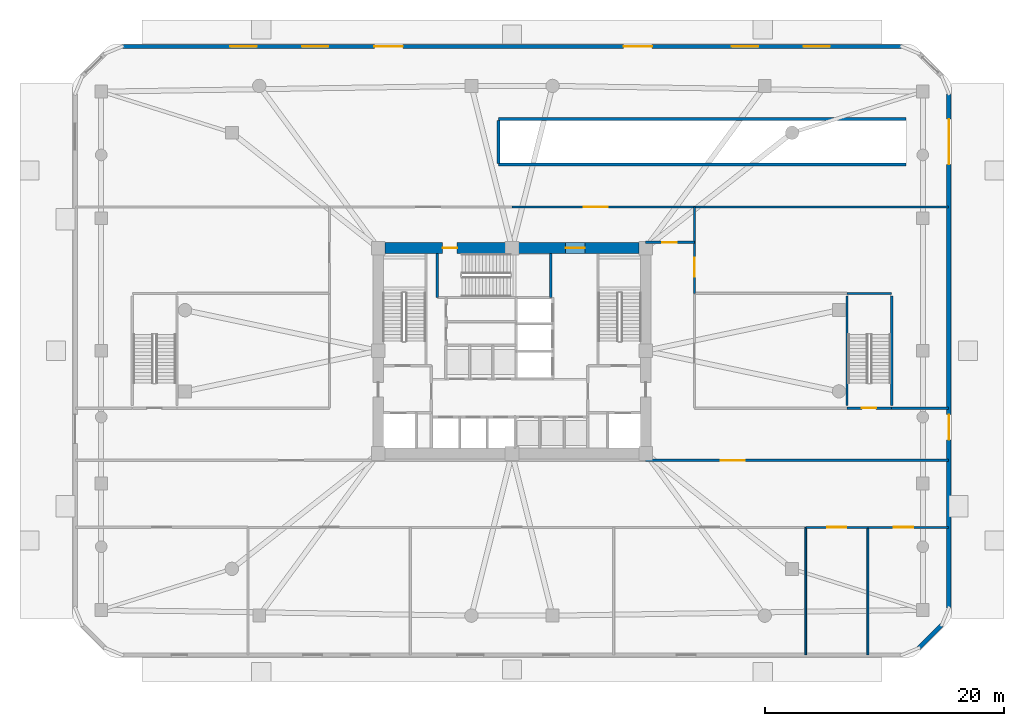
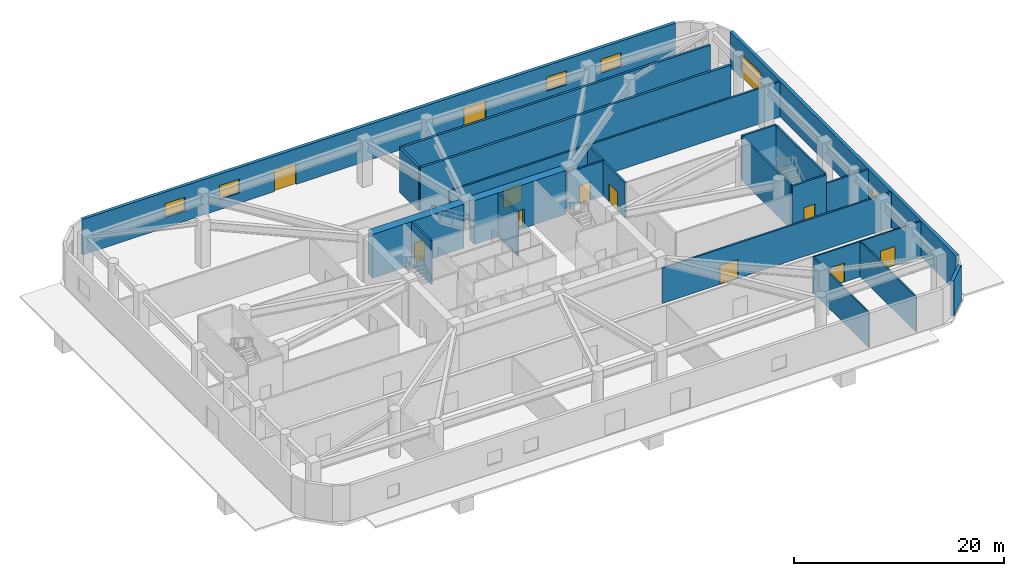
# One storey, part 5 of 9: 23 walls, 13 doors, 4 windows, 17 openings.
"""IFC4 building model written with IfcOpenShell, lengths in metres."""

from ifc_helpers import new_model, si_unit, derived_unit, direction, frame, frame_2d, origin, place, context, subcontext, project, spatial, rectangle, extrude, material, layer, layer_set, type_object, element, fill, save


model = new_model("IFC4")

# Units and contexts
model_context = context("Model", 3, precision=1e-05, world=origin(), true_north=direction((0.0, 1.0)))
body_context = subcontext(model_context, "Body", "Model", "MODEL_VIEW")
ifc_project = project(units=[si_unit("LENGTHUNIT", "METRE"), si_unit("AREAUNIT", "SQUARE_METRE"), si_unit("VOLUMEUNIT", "CUBIC_METRE"), si_unit("PLANEANGLEUNIT", "RADIAN"), si_unit("MASSUNIT", "GRAM", prefix="KILO"), derived_unit("THERMALTRANSMITTANCEUNIT", [(si_unit("POWERUNIT", "WATT"), 1), (si_unit("LENGTHUNIT", "METRE"), -2), (si_unit("THERMODYNAMICTEMPERATUREUNIT", "KELVIN"), -1)])], contexts=[model_context])

# Site, building, storey
site_placement = place(None, origin())
site = spatial("IfcSite", under=ifc_project, at=site_placement, CompositionType="ELEMENT")
building_placement = place(site_placement, origin())
building = spatial("IfcBuilding", under=site, at=building_placement, Name="Koralith Skygarden Medical Center", CompositionType="ELEMENT")
storey_placement = place(building_placement, origin())
storey = spatial("IfcBuildingStorey", under=building, at=storey_placement, Name="L00", CompositionType="ELEMENT", Elevation=0.0)

# Walls
ifc_material_1 = material(Name="Gypsum Board Partition")
ifc_layer_1 = layer(ifc_material_1, 0.14990234375)
ifc_layer_set_1 = layer_set([ifc_layer_1], Name="Gypsum Board Partition")
wall_type_1 = type_object("IfcWallType", Name="Clinical Acoustic Partition 150", PredefinedType="PARTITIONING", material=ifc_layer_set_1)
for number, where, z_axis, x_axis, name in (
    (1, (61.60009765625, 0.43994140625, 0.0), (0.0, 0.0, 1.0), (0.0, 1.0, 0.0), "L00 Clinical Acoustic Partition 150 W-L00-SP-4"),
    (2, (66.800048828125, 0.43994140625, 0.0), (0.0, 0.0, 1.0), (0.0, 1.0, 0.0), "L00 Clinical Acoustic Partition 150 W-L00-SP-5"),
):
    element("IfcWall", number, at=place(storey_placement, frame(where, z_axis=z_axis, x_axis=x_axis)), inside=storey, type_object=wall_type_1, Name=name, PredefinedType="PARTITIONING", context=body_context, shape_type="SweptSolid", body=[
        extrude(rectangle(XDim=10.68017578125, YDim=0.14990234375, at=frame_2d((5.340087890625, 0.0))), origin(), (0.0, 0.0, 1.0), 4.110107421875),
    ])

# Wall, opening, door
ifc_layer_2 = layer(ifc_material_1, 0.1650390625)
ifc_layer_set_2 = layer_set([ifc_layer_2], Name="Gypsum Board Partition")
wall_type_2 = type_object("IfcWallType", Name="Clinical Corridor Partition 165", PredefinedType="PARTITIONING", material=ifc_layer_set_2)
wall_1_placement = place(storey_placement, frame((61.60009765625, 11.1201171875, 0.0), z_axis=(0.0, 0.0, 1.0), x_axis=(1.0, 0.0, 0.0)))
wall_1 = element("IfcWall", 3, at=wall_1_placement, inside=storey, type_object=wall_type_2, Name="L00 Clinical Corridor Partition 165 W-L00-SR-DEC", PredefinedType="PARTITIONING", context=body_context, shape_type="SweptSolid", body=[
    extrude(rectangle(XDim=5.199951171875, YDim=0.1650390625, at=frame_2d((2.60009765625, 0.0))), origin(), (0.0, 0.0, 1.0), 4.110107421875),
])
opening_1_placement = place(wall_1_placement, frame((1.800048828125, 0.0, 0.0)))
opening_1 = element("IfcOpeningElement", 4, at=opening_1_placement, cuts=wall_1, Name="Opening D-DBL", PredefinedType="OPENING", context=body_context, shape_type="SweptSolid", body=[
    extrude(rectangle(XDim=1.60009765625, YDim=2.199951171875, at=frame_2d((0.800048828125, 1.10009765625))), frame((0.0, 0.092529296875, 0.0), z_axis=(0.0, -1.0, 0.0), x_axis=(1.0, 0.0, 0.0)), (0.0, 0.0, 1.0), 0.18505859375),
])
ifc_material_2 = material(Name="Aluminium 6063-T6", Category="aluminium")
door_type_1 = type_object("IfcDoorType", Name="Double Clinical Suite Door D-DBL 1600", OperationType="NOTDEFINED", PredefinedType="DOOR", material=ifc_material_2)
door_1_placement = place(opening_1_placement, frame((1.60009765625, 0.0, 0.0), z_axis=(0.0, 0.0, 1.0), x_axis=(-1.0, 0.0, 0.0)))
door_1 = element("IfcDoor", 5, at=door_1_placement, inside=storey, type_object=door_type_1, Name="L00 Emergency Wet Decontamination and Triage Room Door", OperationType="DOUBLE_DOOR_SINGLE_SWING", OverallHeight=2.199951171875, OverallWidth=1.60009765625, PredefinedType="DOOR", context=body_context, shape_type="SweptSolid", body=[
    extrude(rectangle(XDim=1.60009765625, YDim=2.199951171875, at=frame_2d((0.800048828125, 1.10009765625))), frame((0.0, 0.02490234375, 0.0), z_axis=(0.0, -1.0, 0.0), x_axis=(1.0, 0.0, 0.0)), (0.0, 0.0, 1.0), 0.050048828125),
])
fill(opening_1, door_1)

wall_2_placement = place(storey_placement, frame((66.800048828125, 11.1201171875, 0.0), z_axis=(0.0, 0.0, 1.0), x_axis=(1.0, 0.0, 0.0)))
wall_2 = element("IfcWall", 6, at=wall_2_placement, inside=storey, type_object=wall_type_2, Name="L00 Clinical Corridor Partition 165 W-L00-SR-WC", PredefinedType="PARTITIONING", context=body_context, shape_type="SweptSolid", body=[
    extrude(rectangle(XDim=6.760009765625, YDim=0.1650390625, at=frame_2d((3.3798828125, 0.0))), origin(), (0.0, 0.0, 1.0), 4.110107421875),
])
opening_2_placement = place(wall_2_placement, frame((2.18505859375, 0.0, 0.0)))
opening_2 = element("IfcOpeningElement", 7, at=opening_2_placement, cuts=wall_2, Name="Opening D-DBL", PredefinedType="OPENING", context=body_context, shape_type="SweptSolid", body=[
    extrude(rectangle(XDim=1.60009765625, YDim=2.199951171875, at=frame_2d((0.800048828125, 1.10009765625))), frame((0.0, 0.092529296875, 0.0), z_axis=(0.0, -1.0, 0.0), x_axis=(1.0, 0.0, 0.0)), (0.0, 0.0, 1.0), 0.18505859375),
])
door_2_placement = place(opening_2_placement, frame((1.60009765625, 0.0, 0.0), z_axis=(0.0, 0.0, 1.0), x_axis=(-1.0, 0.0, 0.0)))
door_2 = element("IfcDoor", 8, at=door_2_placement, inside=storey, type_object=door_type_1, Name="L00 Ground Public Accessible Restroom WC Door", OperationType="DOUBLE_DOOR_SINGLE_SWING", OverallHeight=2.199951171875, OverallWidth=1.60009765625, PredefinedType="DOOR", context=body_context, shape_type="SweptSolid", body=[
    extrude(rectangle(XDim=1.60009765625, YDim=2.199951171875, at=frame_2d((0.800048828125, 1.10009765625))), frame((0.0, 0.02490234375, 0.0), z_axis=(0.0, -1.0, 0.0), x_axis=(1.0, 0.0, 0.0)), (0.0, 0.0, 1.0), 0.050048828125),
])
fill(opening_2, door_2)

ifc_layer_3 = layer(ifc_material_1, 0.199951171875)
ifc_layer_set_3 = layer_set([ifc_layer_3], Name="Gypsum Board Partition")
wall_type_3 = type_object("IfcWallType", Name="Fire Shaft Wall 200", PredefinedType="SOLIDWALL", material=ifc_layer_set_3)
wall_3_placement = place(storey_placement, frame((48.199951171875, 16.719970703125, 0.0), z_axis=(0.0, 0.0, 1.0), x_axis=(1.0, 0.0, 0.0)))
wall_3 = element("IfcWall", 9, at=wall_3_placement, inside=storey, type_object=wall_type_3, Name="L00 Fire Shaft Wall 200 W-L00-EXPASS-SE", PredefinedType="SOLIDWALL", context=body_context, shape_type="SweptSolid", body=[
    extrude(rectangle(XDim=25.360107421875, YDim=0.199951171875, at=frame_2d((12.68017578125, 0.0))), origin(), (0.0, 0.0, 1.0), 4.110107421875),
])
opening_3_placement = place(wall_3_placement, frame((6.300048828125, 0.0, 0.0)))
opening_3 = element("IfcOpeningElement", 10, at=opening_3_placement, cuts=wall_3, Name="Opening D-SMK", PredefinedType="OPENING", context=body_context, shape_type="SweptSolid", body=[
    extrude(rectangle(XDim=2.0, YDim=2.199951171875, at=frame_2d((1.0, 1.10009765625))), frame((0.0, 0.10986328125, 0.0), z_axis=(0.0, -1.0, 0.0), x_axis=(1.0, 0.0, 0.0)), (0.0, 0.0, 1.0), 0.219970703125),
])
ifc_material_3 = material(Name="Steel ASTM A500 Grade C", Category="steel")
door_type_2 = type_object("IfcDoorType", Name="Cross-Corridor Double Smoke Door FD60S 2000", OperationType="NOTDEFINED", PredefinedType="DOOR", material=ifc_material_3)
door_3_placement = place(opening_3_placement, origin())
door_3 = element("IfcDoor", 11, at=door_3_placement, inside=storey, type_object=door_type_2, Name="L00 East Protected Passage Smoke Door", OperationType="DOUBLE_DOOR_SINGLE_SWING", OverallHeight=2.199951171875, OverallWidth=2.0, PredefinedType="DOOR", context=body_context, shape_type="SweptSolid", body=[
    extrude(rectangle(XDim=2.0, YDim=2.199951171875, at=frame_2d((1.0, 1.10009765625))), frame((0.0, 0.02490234375, 0.0), z_axis=(0.0, -1.0, 0.0), x_axis=(1.0, 0.0, 0.0)), (0.0, 0.0, 1.0), 0.050048828125),
])
fill(opening_3, door_3)

# Wall
wall_4_placement = place(storey_placement, frame((68.800048828125, 21.10009765625, 0.0), z_axis=(0.0, 0.0, 1.0), x_axis=(1.0, 0.0, 0.0)))
element("IfcWall", 12, at=wall_4_placement, inside=storey, type_object=wall_type_3, Name="L00 Fire Shaft Wall 200 W-L00-EST5-S", PredefinedType="SOLIDWALL", context=body_context, shape_type="SweptSolid", body=[
    extrude(rectangle(XDim=4.760009765625, YDim=0.199951171875, at=frame_2d((2.3798828125, 0.0))), origin(), (0.0, 0.0, 1.0), 4.110107421875),
])

# Wall, opening, door
wall_5_placement = place(storey_placement, frame((52.280029296875, 30.699951171875, 0.0), z_axis=(0.0, 0.0, 1.0), x_axis=(0.0, 1.0, 0.0)))
wall_5 = element("IfcWall", 13, at=wall_5_placement, inside=storey, type_object=wall_type_3, Name="L00 Fire Shaft Wall 200 W-L00-EXPASS-EE2", PredefinedType="SOLIDWALL", context=body_context, shape_type="SweptSolid", body=[
    extrude(rectangle(XDim=7.239990234375, YDim=0.199951171875, at=frame_2d((3.6201171875, 0.0))), origin(), (0.0, 0.0, 1.0), 4.110107421875),
])
opening_4_placement = place(wall_5_placement, frame((1.39990234375, 0.0, 0.0)))
opening_4 = element("IfcOpeningElement", 14, at=opening_4_placement, cuts=wall_5, Name="Opening D-DBL", PredefinedType="OPENING", context=body_context, shape_type="SweptSolid", body=[
    extrude(rectangle(XDim=1.60009765625, YDim=2.199951171875, at=frame_2d((0.800048828125, 1.10009765625))), frame((0.0, 0.10986328125, 0.0), z_axis=(0.0, -1.0, 0.0), x_axis=(1.0, 0.0, 0.0)), (0.0, 0.0, 1.0), 0.219970703125),
])
door_4_placement = place(opening_4_placement, origin())
door_4 = element("IfcDoor", 15, at=door_4_placement, inside=storey, type_object=door_type_1, Name="L00 Outpatient Discharge Pharmacy Door", OperationType="DOUBLE_DOOR_SINGLE_SWING", OverallHeight=2.199951171875, OverallWidth=1.60009765625, PredefinedType="DOOR", context=body_context, shape_type="SweptSolid", body=[
    extrude(rectangle(XDim=1.60009765625, YDim=2.199951171875, at=frame_2d((0.800048828125, 1.10009765625))), frame((0.0, 0.02490234375, 0.0), z_axis=(0.0, -1.0, 0.0), x_axis=(1.0, 0.0, 0.0)), (0.0, 0.0, 1.0), 0.050048828125),
])
fill(opening_4, door_4)

wall_6_placement = place(storey_placement, frame((48.199951171875, 34.97998046875, 0.0), z_axis=(0.0, 0.0, 1.0), x_axis=(1.0, 0.0, 0.0)))
wall_6 = element("IfcWall", 16, at=wall_6_placement, inside=storey, type_object=wall_type_3, Name="L00 Fire Shaft Wall 200 W-L00-EXPASS-EN", PredefinedType="SOLIDWALL", context=body_context, shape_type="SweptSolid", body=[
    extrude(rectangle(XDim=4.080078125, YDim=0.199951171875, at=frame_2d((2.0400390625, 0.0))), origin(), (0.0, 0.0, 1.0), 4.110107421875),
])
opening_5_placement = place(wall_6_placement, frame((1.39990234375, 0.0, 0.0)))
opening_5 = element("IfcOpeningElement", 17, at=opening_5_placement, cuts=wall_6, Name="Opening D-ST60", PredefinedType="OPENING", context=body_context, shape_type="SweptSolid", body=[
    extrude(rectangle(XDim=1.199951171875, YDim=2.14990234375, at=frame_2d((0.60009765625, 1.074951171875))), frame((0.0, 0.10986328125, 0.0), z_axis=(0.0, -1.0, 0.0), x_axis=(1.0, 0.0, 0.0)), (0.0, 0.0, 1.0), 0.219970703125),
])
door_type_3 = type_object("IfcDoorType", Name="Smokeproof Stair Fire Door FD60S 1200", OperationType="NOTDEFINED", PredefinedType="DOOR", material=ifc_material_3)
door_5_placement = place(opening_5_placement, origin())
door_5 = element("IfcDoor", 18, at=door_5_placement, inside=storey, type_object=door_type_3, Name="L00 North-East Protected Passage Door", OperationType="SINGLE_SWING_LEFT", OverallHeight=2.14990234375, OverallWidth=1.199951171875, PredefinedType="DOOR", context=body_context, shape_type="SweptSolid", body=[
    extrude(rectangle(XDim=1.199951171875, YDim=2.14990234375, at=frame_2d((0.60009765625, 1.074951171875))), frame((0.0, 0.02490234375, 0.0), z_axis=(0.0, -1.0, 0.0), x_axis=(1.0, 0.0, 0.0)), (0.0, 0.0, 1.0), 0.050048828125),
])
fill(opening_5, door_5)

wall_7_placement = place(storey_placement, frame((37.0, 37.93994140625, 0.0), z_axis=(0.0, 0.0, 1.0), x_axis=(1.0, 0.0, 0.0)))
wall_7 = element("IfcWall", 19, at=wall_7_placement, inside=storey, type_object=wall_type_3, Name="L00 Fire Shaft Wall 200 W-L00-CONC-E", PredefinedType="SOLIDWALL", context=body_context, shape_type="SweptSolid", body=[
    extrude(rectangle(XDim=36.56005859375, YDim=0.199951171875, at=frame_2d((18.280029296875, 0.0))), origin(), (0.0, 0.0, 1.0), 4.110107421875),
])
opening_6_placement = place(wall_7_placement, frame((6.0, 0.0, 0.0)))
opening_6 = element("IfcOpeningElement", 20, at=opening_6_placement, cuts=wall_7, Name="Opening D-SMK", PredefinedType="OPENING", context=body_context, shape_type="SweptSolid", body=[
    extrude(rectangle(XDim=2.0, YDim=2.199951171875, at=frame_2d((1.0, 1.10009765625))), frame((0.0, 0.10986328125, 0.0), z_axis=(0.0, -1.0, 0.0), x_axis=(1.0, 0.0, 0.0)), (0.0, 0.0, 1.0), 0.219970703125),
])
door_6_placement = place(opening_6_placement, origin())
door_6 = element("IfcDoor", 21, at=door_6_placement, inside=storey, type_object=door_type_2, Name="L00 Station Concourse Transfer Door East", OperationType="DOUBLE_DOOR_SINGLE_SWING", OverallHeight=2.199951171875, OverallWidth=2.0, PredefinedType="DOOR", context=body_context, shape_type="SweptSolid", body=[
    extrude(rectangle(XDim=2.0, YDim=2.199951171875, at=frame_2d((1.0, 1.10009765625))), frame((0.0, 0.02490234375, 0.0), z_axis=(0.0, -1.0, 0.0), x_axis=(1.0, 0.0, 0.0)), (0.0, 0.0, 1.0), 0.050048828125),
])
fill(opening_6, door_6)

ifc_material_4 = material(Name="Concrete C70/85", Category="concrete")
ifc_layer_4 = layer(ifc_material_4, 0.89990234375)
ifc_layer_set_4 = layer_set([ifc_layer_4], Name="Concrete C70/85")
wall_type_4 = type_object("IfcWallType", Name="Lower Core Shear Wall 900", PredefinedType="SHEAR", material=ifc_layer_set_4)
wall_8_placement = place(storey_placement, frame((47.635009765625, 34.5, 0.0), z_axis=(0.0, 0.0, 1.0), x_axis=(-1.0, 0.0, 0.0)))
wall_8 = element("IfcWall", 22, at=wall_8_placement, inside=storey, type_object=wall_type_4, Name="L00 Core Shear Wall Segment 5", PredefinedType="SHEAR", context=body_context, shape_type="SweptSolid", body=[
    extrude(rectangle(XDim=10.070068359375, YDim=0.89990234375, at=frame_2d((5.03515625, 0.0))), origin(), (0.0, 0.0, 1.0), 5.10009765625),
])
opening_7_placement = place(wall_8_placement, frame((4.534912109375, 0.0, 0.0)))
opening_7 = element("IfcOpeningElement", 23, at=opening_7_placement, cuts=wall_8, Name="Opening D-DBL", PredefinedType="OPENING", context=body_context, shape_type="SweptSolid", body=[
    extrude(rectangle(XDim=1.60009765625, YDim=2.199951171875, at=frame_2d((0.800048828125, 1.10009765625))), frame((0.0, 0.4599609375, 0.0), z_axis=(0.0, -1.0, 0.0), x_axis=(1.0, 0.0, 0.0)), (0.0, 0.0, 1.0), 0.919921875),
])
door_7_placement = place(opening_7_placement, frame((1.60009765625, 0.0, 0.0), z_axis=(0.0, 0.0, 1.0), x_axis=(-1.0, 0.0, 0.0)))
door_7 = element("IfcDoor", 24, at=door_7_placement, inside=storey, type_object=door_type_1, Name="L00 North-East Corridor to Elevator Lobby Door", OperationType="DOUBLE_DOOR_SINGLE_SWING", OverallHeight=2.199951171875, OverallWidth=1.60009765625, PredefinedType="DOOR", context=body_context, shape_type="SweptSolid", body=[
    extrude(rectangle(XDim=1.60009765625, YDim=2.199951171875, at=frame_2d((0.800048828125, 1.10009765625))), frame((0.0, 0.02490234375, 0.0), z_axis=(0.0, -1.0, 0.0), x_axis=(1.0, 0.0, 0.0)), (0.0, 0.0, 1.0), 0.050048828125),
])
fill(opening_7, door_7)

wall_9_placement = place(storey_placement, frame((36.43505859375, 34.5, 0.0), z_axis=(0.0, 0.0, 1.0), x_axis=(-1.0, 0.0, 0.0)))
wall_9 = element("IfcWall", 25, at=wall_9_placement, inside=storey, type_object=wall_type_4, Name="L00 Core Shear Wall Segment 6", PredefinedType="SHEAR", context=body_context, shape_type="SweptSolid", body=[
    extrude(rectangle(XDim=10.070068359375, YDim=0.89990234375, at=frame_2d((5.03515625, 0.0))), origin(), (0.0, 0.0, 1.0), 5.10009765625),
])
opening_8_placement = place(wall_9_placement, frame((4.034912109375, 0.0, 0.0)))
opening_8 = element("IfcOpeningElement", 26, at=opening_8_placement, cuts=wall_9, Name="Opening D-ST60", PredefinedType="OPENING", context=body_context, shape_type="SweptSolid", body=[
    extrude(rectangle(XDim=1.199951171875, YDim=2.14990234375, at=frame_2d((0.60009765625, 1.074951171875))), frame((0.0, 0.4599609375, 0.0), z_axis=(0.0, -1.0, 0.0), x_axis=(1.0, 0.0, 0.0)), (0.0, 0.0, 1.0), 0.919921875),
])
door_8_placement = place(opening_8_placement, frame((1.199951171875, 0.0, 0.0), z_axis=(0.0, 0.0, 1.0), x_axis=(-1.0, 0.0, 0.0)))
door_8 = element("IfcDoor", 27, at=door_8_placement, inside=storey, type_object=door_type_3, Name="L00 Exit Stair ST3 Fire Door", OperationType="SINGLE_SWING_LEFT", OverallHeight=2.14990234375, OverallWidth=1.199951171875, PredefinedType="DOOR", context=body_context, shape_type="SweptSolid", body=[
    extrude(rectangle(XDim=1.199951171875, YDim=2.14990234375, at=frame_2d((0.60009765625, 1.074951171875))), frame((0.0, 0.02490234375, 0.0), z_axis=(0.0, -1.0, 0.0), x_axis=(1.0, 0.0, 0.0)), (0.0, 0.0, 1.0), 0.050048828125),
])
fill(opening_8, door_8)

# Wall
ifc_material_5 = material(Name="Warm Oolitic Limestone Cladding", Category="masonry")
ifc_layer_5 = layer(ifc_material_5, 0.35009765625)
ifc_layer_set_5 = layer_set([ifc_layer_5], Name="Warm Oolitic Limestone Cladding")
wall_type_5 = type_object("IfcWallType", Name="Podium Station Limestone Facade Wall 350", PredefinedType="SOLIDWALL", material=ifc_layer_set_5)
wall_10_placement = place(storey_placement, frame((71.072021484375, 1.02099609375, 0.0), z_axis=(0.0, 0.0, 1.0), x_axis=(0.707106781187, 0.707106781187, 0.0)))
element("IfcWall", 28, at=wall_10_placement, inside=storey, type_object=wall_type_5, Name="L00 Podium Exterior Limestone Wall SE", PredefinedType="SOLIDWALL", context=body_context, shape_type="SweptSolid", body=[
    extrude(rectangle(XDim=2.69677734375, YDim=0.35009765625, at=frame_2d((1.348388671875, 0.0))), origin(), (0.0, 0.0, 1.0), 4.139892578125),
])

# Wall, openings, doors
wall_11_placement = place(storey_placement, frame((73.580078125, 4.37890625, 0.0), z_axis=(0.0, 0.0, 1.0), x_axis=(0.0, 1.0, 0.0)))
wall_11 = element("IfcWall", 29, at=wall_11_placement, inside=storey, type_object=wall_type_5, Name="L00 Podium Exterior Limestone Wall E", PredefinedType="SOLIDWALL", context=body_context, shape_type="SweptSolid", body=[
    extrude(rectangle(XDim=43.0419921875, YDim=0.35009765625, at=frame_2d((21.52099609375, 0.0))), origin(), (0.0, 0.0, 1.0), 4.139892578125),
])
opening_9_placement = place(wall_11_placement, frame((14.071044921875, 0.0, 0.0)))
opening_9 = element("IfcOpeningElement", 30, at=opening_9_placement, cuts=wall_11, Name="Opening EX-03", PredefinedType="OPENING", context=body_context, shape_type="SweptSolid", body=[
    extrude(rectangle(XDim=2.10009765625, YDim=2.39990234375, at=frame_2d((1.050048828125, 1.199951171875))), frame((0.0, 0.18505859375, 0.0), z_axis=(0.0, -1.0, 0.0), x_axis=(1.0, 0.0, 0.0)), (0.0, 0.0, 1.0), 0.3701171875),
])
opening_10_placement = place(wall_11_placement, frame((37.12109375, 0.0, 0.0)))
opening_10 = element("IfcOpeningElement", 31, at=opening_10_placement, cuts=wall_11, Name="Opening VG-01", PredefinedType="OPENING", context=body_context, shape_type="SweptSolid", body=[
    extrude(rectangle(XDim=3.800048828125, YDim=2.85009765625, at=frame_2d((1.89990234375, 1.425048828125))), frame((0.0, 0.18505859375, 0.0), z_axis=(0.0, -1.0, 0.0), x_axis=(1.0, 0.0, 0.0)), (0.0, 0.0, 1.0), 0.3701171875),
])
door_type_4 = type_object("IfcDoorType", Name="Ambulance Trauma Entrance Door EX-03 2100", OperationType="NOTDEFINED", PredefinedType="DOOR", material=ifc_material_2)
door_9_placement = place(opening_9_placement, frame((2.10009765625, 0.0, 0.0), z_axis=(0.0, 0.0, 1.0), x_axis=(-1.0, 0.0, 0.0)))
door_9 = element("IfcDoor", 32, at=door_9_placement, inside=storey, type_object=door_type_4, Name="L00 East Protected Passage Final Exit Door EX-03", OperationType="DOUBLE_DOOR_SINGLE_SWING", OverallHeight=2.39990234375, OverallWidth=2.10009765625, PredefinedType="DOOR", context=body_context, shape_type="SweptSolid", body=[
    extrude(rectangle(XDim=2.10009765625, YDim=2.39990234375, at=frame_2d((1.050048828125, 1.199951171875))), frame((0.0, 0.02490234375, 0.0), z_axis=(0.0, -1.0, 0.0), x_axis=(1.0, 0.0, 0.0)), (0.0, 0.0, 1.0), 0.050048828125),
])
fill(opening_9, door_9)
door_type_5 = type_object("IfcDoorType", Name="Car Park Exit Roller Shutter Gate VG-01 3800", OperationType="NOTDEFINED", PredefinedType="GATE", material=ifc_material_3)
door_10_placement = place(opening_10_placement, origin())
door_10 = element("IfcDoor", 33, at=door_10_placement, inside=storey, type_object=door_type_5, Name="L00 Car Park Ramp R2 Exterior Roller Gate", OperationType="ROLLINGUP", OverallHeight=2.85009765625, OverallWidth=3.800048828125, PredefinedType="GATE", context=body_context, shape_type="SweptSolid", body=[
    extrude(rectangle(XDim=3.800048828125, YDim=2.85009765625, at=frame_2d((1.89990234375, 1.425048828125))), frame((0.0, 0.02490234375, 0.0), z_axis=(0.0, -1.0, 0.0), x_axis=(1.0, 0.0, 0.0)), (0.0, 0.0, 1.0), 0.050048828125),
])
fill(opening_10, door_10)

# Wall, openings, windows, doors
wall_12_placement = place(storey_placement, frame((69.62109375, 51.3798828125, 0.0), z_axis=(0.0, 0.0, 1.0), x_axis=(-1.0, 0.0, 0.0)))
wall_12 = element("IfcWall", 34, at=wall_12_placement, inside=storey, type_object=wall_type_5, Name="L00 Podium Exterior Limestone Wall N", PredefinedType="SOLIDWALL", context=body_context, shape_type="SweptSolid", body=[
    extrude(rectangle(XDim=65.2421875, YDim=0.35009765625, at=frame_2d((32.62109375, 0.0))), origin(), (0.0, 0.0, 1.0), 4.139892578125),
])
opening_11_placement = place(wall_12_placement, frame((20.876953125, 0.0, 0.0)))
opening_11 = element("IfcOpeningElement", 35, at=opening_11_placement, cuts=wall_12, Name="Opening EX-01", PredefinedType="OPENING", context=body_context, shape_type="SweptSolid", body=[
    extrude(rectangle(XDim=2.39990234375, YDim=2.5, at=frame_2d((1.199951171875, 1.25))), frame((0.0, 0.18505859375, 0.0), z_axis=(0.0, -1.0, 0.0), x_axis=(1.0, 0.0, 0.0)), (0.0, 0.0, 1.0), 0.3701171875),
])
opening_12_placement = place(wall_12_placement, frame((41.7548828125, 0.0, 0.0)))
opening_12 = element("IfcOpeningElement", 36, at=opening_12_placement, cuts=wall_12, Name="Opening EX-01", PredefinedType="OPENING", context=body_context, shape_type="SweptSolid", body=[
    extrude(rectangle(XDim=2.39990234375, YDim=2.5, at=frame_2d((1.199951171875, 1.25))), frame((0.0, 0.18505859375, 0.0), z_axis=(0.0, -1.0, 0.0), x_axis=(1.0, 0.0, 0.0)), (0.0, 0.0, 1.0), 0.3701171875),
])
opening_13_placement = place(wall_12_placement, frame((6.0, 0.0, 1.199951171875)))
opening_13 = element("IfcOpeningElement", 37, at=opening_13_placement, cuts=wall_12, Name="Opening W-01", PredefinedType="OPENING", context=body_context, shape_type="SweptSolid", body=[
    extrude(rectangle(XDim=2.199951171875, YDim=1.60009765625, at=frame_2d((1.10009765625, 0.800048828125))), frame((0.0, 0.18505859375, 0.0), z_axis=(0.0, -1.0, 0.0), x_axis=(1.0, 0.0, 0.0)), (0.0, 0.0, 1.0), 0.3701171875),
])
opening_14_placement = place(wall_12_placement, frame((12.0, 0.0, 1.199951171875)))
opening_14 = element("IfcOpeningElement", 38, at=opening_14_placement, cuts=wall_12, Name="Opening W-01", PredefinedType="OPENING", context=body_context, shape_type="SweptSolid", body=[
    extrude(rectangle(XDim=2.199951171875, YDim=1.60009765625, at=frame_2d((1.10009765625, 0.800048828125))), frame((0.0, 0.18505859375, 0.0), z_axis=(0.0, -1.0, 0.0), x_axis=(1.0, 0.0, 0.0)), (0.0, 0.0, 1.0), 0.3701171875),
])
opening_15_placement = place(wall_12_placement, frame((48.0, 0.0, 1.199951171875)))
opening_15 = element("IfcOpeningElement", 39, at=opening_15_placement, cuts=wall_12, Name="Opening W-01", PredefinedType="OPENING", context=body_context, shape_type="SweptSolid", body=[
    extrude(rectangle(XDim=2.199951171875, YDim=1.60009765625, at=frame_2d((1.10009765625, 0.800048828125))), frame((0.0, 0.18505859375, 0.0), z_axis=(0.0, -1.0, 0.0), x_axis=(1.0, 0.0, 0.0)), (0.0, 0.0, 1.0), 0.3701171875),
])
opening_16_placement = place(wall_12_placement, frame((54.0, 0.0, 1.199951171875)))
opening_16 = element("IfcOpeningElement", 40, at=opening_16_placement, cuts=wall_12, Name="Opening W-01", PredefinedType="OPENING", context=body_context, shape_type="SweptSolid", body=[
    extrude(rectangle(XDim=2.199951171875, YDim=1.60009765625, at=frame_2d((1.10009765625, 0.800048828125))), frame((0.0, 0.18505859375, 0.0), z_axis=(0.0, -1.0, 0.0), x_axis=(1.0, 0.0, 0.0)), (0.0, 0.0, 1.0), 0.3701171875),
])
ifc_material_6 = material(Name="Clear Laminated Glass", Category="glass")
window_type = type_object("IfcWindowType", Name="Concourse Clerestory Punched Window W-01 2200x1600", PartitioningType="SINGLE_PANEL", PredefinedType="WINDOW", material=ifc_material_6)
window_1_placement = place(opening_13_placement, origin())
window_1 = element("IfcWindow", 41, at=window_1_placement, inside=storey, type_object=window_type, Name="L00 Concourse Clerestory Window 1", OverallHeight=1.60009765625, OverallWidth=2.199951171875, PartitioningType="SINGLE_PANEL", PredefinedType="WINDOW", context=body_context, shape_type="SweptSolid", body=[
    extrude(rectangle(XDim=2.199951171875, YDim=1.60009765625, at=frame_2d((1.10009765625, 0.800048828125))), frame((0.0, 0.030029296875, 0.0), z_axis=(0.0, -1.0, 0.0), x_axis=(1.0, 0.0, 0.0)), (0.0, 0.0, 1.0), 0.06005859375),
])
fill(opening_13, window_1)
window_2_placement = place(opening_14_placement, origin())
window_2 = element("IfcWindow", 42, at=window_2_placement, inside=storey, type_object=window_type, Name="L00 Concourse Clerestory Window 2", OverallHeight=1.60009765625, OverallWidth=2.199951171875, PartitioningType="SINGLE_PANEL", PredefinedType="WINDOW", context=body_context, shape_type="SweptSolid", body=[
    extrude(rectangle(XDim=2.199951171875, YDim=1.60009765625, at=frame_2d((1.10009765625, 0.800048828125))), frame((0.0, 0.030029296875, 0.0), z_axis=(0.0, -1.0, 0.0), x_axis=(1.0, 0.0, 0.0)), (0.0, 0.0, 1.0), 0.06005859375),
])
fill(opening_14, window_2)
window_3_placement = place(opening_15_placement, origin())
window_3 = element("IfcWindow", 43, at=window_3_placement, inside=storey, type_object=window_type, Name="L00 Concourse Clerestory Window 3", OverallHeight=1.60009765625, OverallWidth=2.199951171875, PartitioningType="SINGLE_PANEL", PredefinedType="WINDOW", context=body_context, shape_type="SweptSolid", body=[
    extrude(rectangle(XDim=2.199951171875, YDim=1.60009765625, at=frame_2d((1.10009765625, 0.800048828125))), frame((0.0, 0.030029296875, 0.0), z_axis=(0.0, -1.0, 0.0), x_axis=(1.0, 0.0, 0.0)), (0.0, 0.0, 1.0), 0.06005859375),
])
fill(opening_15, window_3)
window_4_placement = place(opening_16_placement, origin())
window_4 = element("IfcWindow", 44, at=window_4_placement, inside=storey, type_object=window_type, Name="L00 Concourse Clerestory Window 4", OverallHeight=1.60009765625, OverallWidth=2.199951171875, PartitioningType="SINGLE_PANEL", PredefinedType="WINDOW", context=body_context, shape_type="SweptSolid", body=[
    extrude(rectangle(XDim=2.199951171875, YDim=1.60009765625, at=frame_2d((1.10009765625, 0.800048828125))), frame((0.0, 0.030029296875, 0.0), z_axis=(0.0, -1.0, 0.0), x_axis=(1.0, 0.0, 0.0)), (0.0, 0.0, 1.0), 0.06005859375),
])
fill(opening_16, window_4)
door_type_6 = type_object("IfcDoorType", Name="Station Concourse Double Exit Door EX-01 2400", OperationType="NOTDEFINED", PredefinedType="DOOR", material=ifc_material_2)
door_11_placement = place(opening_11_placement, frame((2.39990234375, 0.0, 0.0), z_axis=(0.0, 0.0, 1.0), x_axis=(-1.0, 0.0, 0.0)))
door_11 = element("IfcDoor", 45, at=door_11_placement, inside=storey, type_object=door_type_6, Name="L00 North Station Concourse Final Exit Door 1", OperationType="DOUBLE_DOOR_SINGLE_SWING", OverallHeight=2.5, OverallWidth=2.39990234375, PredefinedType="DOOR", context=body_context, shape_type="SweptSolid", body=[
    extrude(rectangle(XDim=2.39990234375, YDim=2.5, at=frame_2d((1.199951171875, 1.25))), frame((0.0, 0.02490234375, 0.0), z_axis=(0.0, -1.0, 0.0), x_axis=(1.0, 0.0, 0.0)), (0.0, 0.0, 1.0), 0.050048828125),
])
fill(opening_11, door_11)
door_12_placement = place(opening_12_placement, frame((2.39990234375, 0.0, 0.0), z_axis=(0.0, 0.0, 1.0), x_axis=(-1.0, 0.0, 0.0)))
door_12 = element("IfcDoor", 46, at=door_12_placement, inside=storey, type_object=door_type_6, Name="L00 North Station Concourse Final Exit Door 2", OperationType="DOUBLE_DOOR_SINGLE_SWING", OverallHeight=2.5, OverallWidth=2.39990234375, PredefinedType="DOOR", context=body_context, shape_type="SweptSolid", body=[
    extrude(rectangle(XDim=2.39990234375, YDim=2.5, at=frame_2d((1.199951171875, 1.25))), frame((0.0, 0.02490234375, 0.0), z_axis=(0.0, -1.0, 0.0), x_axis=(1.0, 0.0, 0.0)), (0.0, 0.0, 1.0), 0.050048828125),
])
fill(opening_12, door_12)

# Walls
ifc_material_7 = material(Name="Concrete C45/55", Category="concrete")
ifc_layer_6 = layer(ifc_material_7, 0.199951171875)
ifc_layer_set_6 = layer_set([ifc_layer_6], Name="Concrete C45/55")
wall_type_6 = type_object("IfcWallType", Name="Structural Stair Shaft Wall 200", PredefinedType="SHEAR", material=ifc_layer_set_6)
for number, where, z_axis, x_axis, name in (
    (47, (30.75, 30.360107421875, 0.0), (0.0, 0.0, 1.0), (0.0, 1.0, 0.0), "L00 Structural Stair Shaft Wall 200 W-CORE-L00-ST3-W"),
    (48, (40.25, 30.360107421875, 0.0), (0.0, 0.0, 1.0), (0.0, 1.0, 0.0), "L00 Structural Stair Shaft Wall 200 W-CORE-L00-ST3-E"),
):
    element("IfcWall", number, at=place(storey_placement, frame(where, z_axis=z_axis, x_axis=x_axis)), inside=storey, type_object=wall_type_6, Name=name, PredefinedType="SHEAR", context=body_context, shape_type="SweptSolid", body=[
        extrude(rectangle(XDim=3.68994140625, YDim=0.199951171875, at=frame_2d((1.844970703125, 0.0))), origin(), (0.0, 0.0, 1.0), 5.10009765625),
    ])

# Wall, opening, door
wall_13_placement = place(storey_placement, frame((65.050048828125, 21.10009765625, 0.0), z_axis=(0.0, 0.0, 1.0), x_axis=(1.0, 0.0, 0.0)))
wall_13 = element("IfcWall", 49, at=wall_13_placement, inside=storey, type_object=wall_type_6, Name="L00 Structural Stair Shaft Wall 200 W-ST5-L00-S", PredefinedType="SHEAR", context=body_context, shape_type="SweptSolid", body=[
    extrude(rectangle(XDim=3.75, YDim=0.199951171875, at=frame_2d((1.875, 0.0))), origin(), (0.0, 0.0, 1.0), 5.10009765625),
])
opening_17_placement = place(wall_13_placement, frame((1.25, 0.0, 0.0)))
opening_17 = element("IfcOpeningElement", 50, at=opening_17_placement, cuts=wall_13, Name="Opening D-ST60", PredefinedType="OPENING", context=body_context, shape_type="SweptSolid", body=[
    extrude(rectangle(XDim=1.199951171875, YDim=2.14990234375, at=frame_2d((0.60009765625, 1.074951171875))), frame((0.0, 0.10986328125, 0.0), z_axis=(0.0, -1.0, 0.0), x_axis=(1.0, 0.0, 0.0)), (0.0, 0.0, 1.0), 0.219970703125),
])
door_13_placement = place(opening_17_placement, frame((1.199951171875, 0.0, 0.0), z_axis=(0.0, 0.0, 1.0), x_axis=(-1.0, 0.0, 0.0)))
door_13 = element("IfcDoor", 51, at=door_13_placement, inside=storey, type_object=door_type_3, Name="L00 Exit Stair ST5 Fire Door", OperationType="SINGLE_SWING_RIGHT", OverallHeight=2.14990234375, OverallWidth=1.199951171875, PredefinedType="DOOR", context=body_context, shape_type="SweptSolid", body=[
    extrude(rectangle(XDim=1.199951171875, YDim=2.14990234375, at=frame_2d((0.60009765625, 1.074951171875))), frame((0.0, 0.02490234375, 0.0), z_axis=(0.0, -1.0, 0.0), x_axis=(1.0, 0.0, 0.0)), (0.0, 0.0, 1.0), 0.050048828125),
])
fill(opening_17, door_13)

# Walls
wall_14_placement = place(storey_placement, frame((65.050048828125, 30.699951171875, 0.0), z_axis=(0.0, 0.0, 1.0), x_axis=(1.0, 0.0, 0.0)))
element("IfcWall", 52, at=wall_14_placement, inside=storey, type_object=wall_type_6, Name="L00 Structural Stair Shaft Wall 200 W-ST5-L00-N", PredefinedType="SHEAR", context=body_context, shape_type="SweptSolid", body=[
    extrude(rectangle(XDim=3.75, YDim=0.199951171875, at=frame_2d((1.875, 0.0))), origin(), (0.0, 0.0, 1.0), 5.10009765625),
])
for number, where, z_axis, x_axis, name in (
    (53, (65.050048828125, 21.300048828125, 0.0), (0.0, 0.0, 1.0), (0.0, 1.0, 0.0), "L00 Structural Stair Shaft Wall 200 W-ST5-L00-W"),
    (54, (68.800048828125, 21.300048828125, 0.0), (0.0, 0.0, 1.0), (0.0, 1.0, 0.0), "L00 Structural Stair Shaft Wall 200 W-ST5-L00-E"),
):
    element("IfcWall", number, at=place(storey_placement, frame(where, z_axis=z_axis, x_axis=x_axis)), inside=storey, type_object=wall_type_6, Name=name, PredefinedType="SHEAR", context=body_context, shape_type="SweptSolid", body=[
        extrude(rectangle(XDim=9.199951171875, YDim=0.199951171875, at=frame_2d((4.60009765625, 0.0))), origin(), (0.0, 0.0, 1.0), 5.10009765625),
    ])
ifc_layer_7 = layer(ifc_material_7, 0.25)
ifc_layer_set_7 = layer_set([ifc_layer_7], Name="Concrete C45/55")
wall_type_7 = type_object("IfcWallType", Name="Vehicle Ramp Enclosure Wall 250", PredefinedType="SOLIDWALL", material=ifc_layer_set_7)
for number, where, z_axis, x_axis, name in (
    (55, (35.8798828125, 41.47998046875, 0.0), (0.0, 0.0, 1.0), (1.0, 0.0, 0.0), "L00 Car Park Ramp R2 Well Wall S"),
    (56, (35.8798828125, 45.320068359375, 0.0), (0.0, 0.0, 1.0), (1.0, 0.0, 0.0), "L00 Car Park Ramp R2 Well Wall N"),
):
    element("IfcWall", number, at=place(storey_placement, frame(where, z_axis=z_axis, x_axis=x_axis)), inside=storey, type_object=wall_type_7, Name=name, PredefinedType="SOLIDWALL", context=body_context, shape_type="SweptSolid", body=[
        extrude(rectangle(XDim=34.1201171875, YDim=0.25, at=frame_2d((17.06005859375, 0.0))), origin(), (0.0, 0.0, 1.0), 5.10009765625),
    ])
wall_15_placement = place(storey_placement, frame((35.8798828125, 41.60009765625, 0.0), z_axis=(0.0, 0.0, 1.0), x_axis=(0.0, 1.0, 0.0)))
element("IfcWall", 57, at=wall_15_placement, inside=storey, type_object=wall_type_7, Name="L00 Car Park Ramp R2 Well Wall W", PredefinedType="SOLIDWALL", context=body_context, shape_type="SweptSolid", body=[
    extrude(rectangle(XDim=3.599853515625, YDim=0.25, at=frame_2d((1.7998046875, 0.0))), origin(), (0.0, 0.0, 1.0), 5.10009765625),
])

save(model, "model.ifc")
